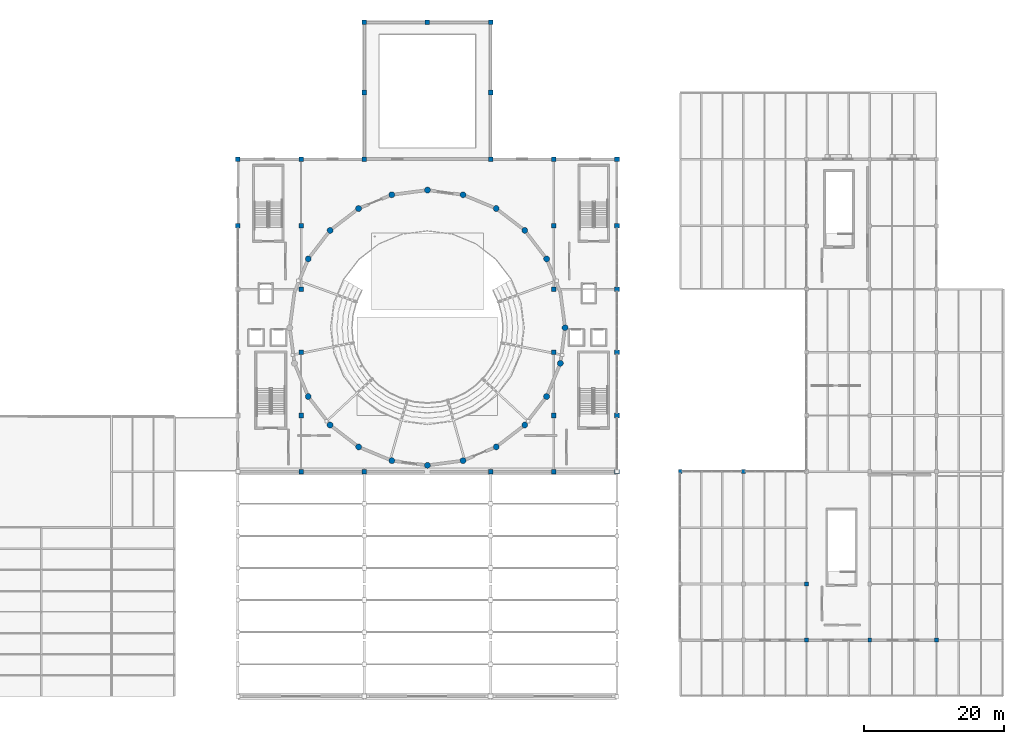
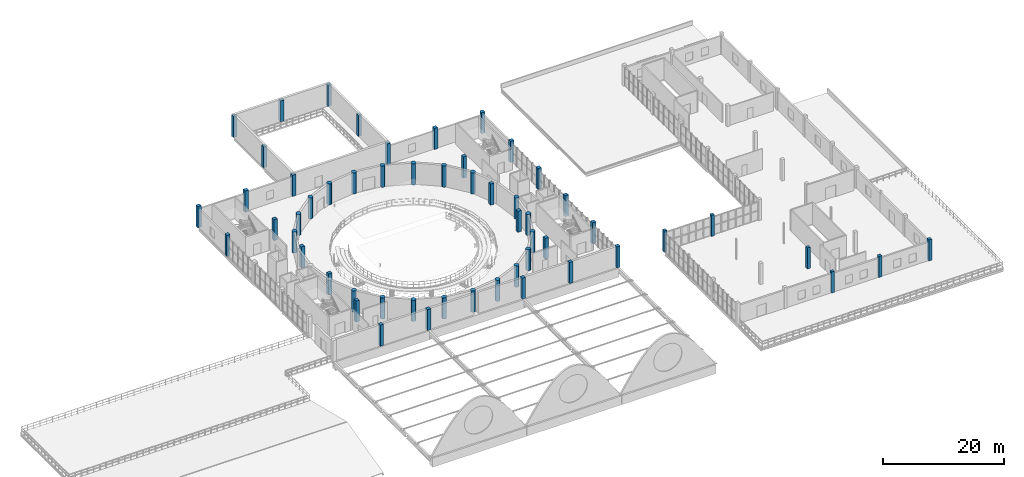
# One storey, part 3 of 54: 55 columns.
"""IFC4 building model written with IfcOpenShell, lengths in metres."""

from ifc_helpers import new_model, si_unit, direction, frame, origin, origin_2d, place, context, subcontext, project, spatial, rectangle, circle, extrude, material, material_profile, profile_set, type_object, element, save


model = new_model("IFC4")

# Units and contexts
model_context = context("Model", 3, precision=1e-05, world=origin(), true_north=direction((0.0, 1.0)))
body_context = subcontext(model_context, "Body", "Model", "MODEL_VIEW")
ifc_project = project(units=[si_unit("LENGTHUNIT", "METRE"), si_unit("AREAUNIT", "SQUARE_METRE"), si_unit("VOLUMEUNIT", "CUBIC_METRE"), si_unit("PLANEANGLEUNIT", "RADIAN"), si_unit("MASSUNIT", "GRAM", prefix="KILO")], contexts=[model_context])

# Site, building, storey
site_placement = place(None, origin())
site = spatial("IfcSite", under=ifc_project, at=site_placement, CompositionType="ELEMENT")
building_placement = place(site_placement, origin())
building = spatial("IfcBuilding", under=site, at=building_placement, Name="Marnock Terrace Opera House", CompositionType="ELEMENT")
storey_placement = place(building_placement, frame((0.0, 0.0, 19.199951171875)))
storey = spatial("IfcBuildingStorey", under=building, at=storey_placement, Name="L04", CompositionType="ELEMENT", Elevation=19.199951171875)

# Columns
ifc_material_1 = material(Name="Concrete N50 (f'c = 50 MPa)", Category="concrete")
ifc_material_profile_1 = material_profile(ifc_material_1, circle(Radius=0.425048828125, at=origin_2d()))
ifc_profile_set_1 = profile_set([ifc_material_profile_1], Name="Concrete N50 (f'c = 50 MPa)")
column_type_1 = type_object("IfcColumnType", Name="COL-DRUM-850", PredefinedType="COLUMN", material=ifc_profile_set_1)
for number, where, z_axis, x_axis, name in (
    (1, (101.60009765625, 60.5, 0.0), (0.0, 0.0, 1.0), (1.0, 0.0, 0.0), "L04 auditorium drum pier 1"),
    (2, (98.97412109375, 70.300048828125, 0.0), (0.0, 0.0, 1.0), (1.0, 0.0, 0.0), "L04 auditorium drum pier 3"),
    (3, (95.85888671875, 74.35888671875, 0.0), (0.0, 0.0, 1.0), (1.0, 0.0, 0.0), "L04 auditorium drum pier 4"),
    (4, (91.800048828125, 77.47412109375, 0.0), (0.0, 0.0, 1.0), (1.0, 0.0, 0.0), "L04 auditorium drum pier 5"),
    (5, (87.072998046875, 79.431884765625, 0.0), (0.0, 0.0, 1.0), (1.0, 0.0, 0.0), "L04 auditorium drum pier 6"),
    (6, (82.0, 80.10009765625, 0.0), (0.0, 0.0, 1.0), (1.0, 0.0, 0.0), "L04 auditorium drum pier 7"),
    (7, (76.927001953125, 79.431884765625, 0.0), (0.0, 0.0, 1.0), (1.0, 0.0, 0.0), "L04 auditorium drum pier 8"),
    (8, (72.199951171875, 77.47412109375, 0.0), (0.0, 0.0, 1.0), (1.0, 0.0, 0.0), "L04 auditorium drum pier 9"),
    (9, (68.14111328125, 74.35888671875, 0.0), (0.0, 0.0, 1.0), (1.0, 0.0, 0.0), "L04 auditorium drum pier 10"),
    (10, (65.02587890625, 70.300048828125, 0.0), (0.0, 0.0, 1.0), (1.0, 0.0, 0.0), "L04 auditorium drum pier 11"),
    (11, (65.02587890625, 50.699951171875, 0.0), (0.0, 0.0, 1.0), (1.0, 0.0, 0.0), "L04 auditorium drum pier 15"),
    (12, (68.14111328125, 46.64111328125, 0.0), (0.0, 0.0, 1.0), (1.0, 0.0, 0.0), "L04 auditorium drum pier 16"),
    (13, (72.199951171875, 43.52587890625, 0.0), (0.0, 0.0, 1.0), (1.0, 0.0, 0.0), "L04 auditorium drum pier 17"),
    (14, (76.927001953125, 41.568115234375, 0.0), (0.0, 0.0, 1.0), (1.0, 0.0, 0.0), "L04 auditorium drum pier 18"),
    (15, (82.0, 40.89990234375, 0.0), (0.0, 0.0, 1.0), (1.0, 0.0, 0.0), "L04 auditorium drum pier 19"),
    (16, (87.072998046875, 41.568115234375, 0.0), (0.0, 0.0, 1.0), (1.0, 0.0, 0.0), "L04 auditorium drum pier 20"),
    (17, (91.800048828125, 43.52587890625, 0.0), (0.0, 0.0, 1.0), (1.0, 0.0, 0.0), "L04 auditorium drum pier 21"),
    (18, (95.85888671875, 46.64111328125, 0.0), (0.0, 0.0, 1.0), (1.0, 0.0, 0.0), "L04 auditorium drum pier 22"),
    (19, (98.97412109375, 50.699951171875, 0.0), (0.0, 0.0, 1.0), (1.0, 0.0, 0.0), "L04 auditorium drum pier 23"),
    (20, (100.931884765625, 55.427001953125, 0.0), (0.0, 0.0, 1.0), (1.0, 0.0, 0.0), "L04 auditorium drum pier 24"),
):
    element("IfcColumn", number, at=place(storey_placement, frame(where, z_axis=z_axis, x_axis=x_axis)), inside=storey, type_object=column_type_1, Name=name, PredefinedType="COLUMN", context=body_context, shape_type="SweptSolid", body=[
        extrude(circle(Radius=0.425048828125, at=origin_2d()), origin(), (0.0, 0.0, 1.0), 4.25),
    ])
ifc_material_2 = material(Name="Concrete N40 (f'c = 40 MPa)", Category="concrete")
ifc_material_profile_2 = material_profile(ifc_material_2, rectangle(XDim=0.550048828125, YDim=0.550048828125, at=origin_2d()))
ifc_profile_set_2 = profile_set([ifc_material_profile_2], Name="Concrete N40 (f'c = 40 MPa)")
column_type_2 = type_object("IfcColumnType", Name="COL-RC550", PredefinedType="COLUMN", material=ifc_profile_set_2)
for number, where, z_axis, x_axis, name in (
    (21, (118.0, 40.0, 0.0), (0.0, 0.0, 1.0), (1.0, 0.0, 0.0), "L04 column at (118.0, 40.0)"),
    (22, (127.0, 40.0, 0.0), (0.0, 0.0, 1.0), (1.0, 0.0, 0.0), "L04 column at (127.0, 40.0)"),
    (23, (136.0, 16.0, 0.0), (0.0, 0.0, 1.0), (1.0, 0.0, 0.0), "L04 column at (136.0, 16.0)"),
    (24, (136.0, 24.0, 0.0), (0.0, 0.0, 1.0), (1.0, 0.0, 0.0), "L04 column at (136.0, 24.0)"),
    (25, (145.0, 16.0, 0.0), (0.0, 0.0, 1.0), (1.0, 0.0, 0.0), "L04 column at (145.0, 16.0)"),
    (26, (154.5, 16.0, 0.0), (0.0, 0.0, 1.0), (1.0, 0.0, 0.0), "L04 column at (154.5, 16.0)"),
):
    element("IfcColumn", number, at=place(storey_placement, frame(where, z_axis=z_axis, x_axis=x_axis)), inside=storey, type_object=column_type_2, Name=name, PredefinedType="COLUMN", context=body_context, shape_type="SweptSolid", body=[
        extrude(rectangle(XDim=0.550048828125, YDim=0.550048828125, at=origin_2d()), origin(), (0.0, 0.0, 1.0), 4.25),
    ])
ifc_material_profile_3 = material_profile(ifc_material_2, rectangle(XDim=0.64990234375, YDim=0.64990234375, at=origin_2d()))
ifc_profile_set_3 = profile_set([ifc_material_profile_3], Name="Concrete N40 (f'c = 40 MPa)")
column_type_3 = type_object("IfcColumnType", Name="COL-RC650", PredefinedType="COLUMN", material=ifc_profile_set_3)
for number, where, z_axis, x_axis, name in (
    (27, (55.0, 75.0, 0.0), (0.0, 0.0, 1.0), (1.0, 0.0, 0.0), "L04 column at (55.0, 75.0)"),
    (28, (55.0, 84.5, 0.0), (0.0, 0.0, 1.0), (1.0, 0.0, 0.0), "L04 column at (55.0, 84.5)"),
    (29, (64.0, 40.0, 0.0), (0.0, 0.0, 1.0), (1.0, 0.0, 0.0), "L04 column at (64.0, 40.0)"),
    (30, (64.0, 48.0, 0.0), (0.0, 0.0, 1.0), (1.0, 0.0, 0.0), "L04 column at (64.0, 48.0)"),
    (31, (64.0, 57.0, 0.0), (0.0, 0.0, 1.0), (1.0, 0.0, 0.0), "L04 column at (64.0, 57.0)"),
    (32, (64.0, 66.0, 0.0), (0.0, 0.0, 1.0), (1.0, 0.0, 0.0), "L04 column at (64.0, 66.0)"),
    (33, (64.0, 75.0, 0.0), (0.0, 0.0, 1.0), (1.0, 0.0, 0.0), "L04 column at (64.0, 75.0)"),
    (34, (64.0, 84.5, 0.0), (0.0, 0.0, 1.0), (1.0, 0.0, 0.0), "L04 column at (64.0, 84.5)"),
    (35, (73.0, 40.0, 0.0), (0.0, 0.0, 1.0), (1.0, 0.0, 0.0), "L04 column at (73.0, 40.0)"),
    (36, (73.0, 84.5, 0.0), (0.0, 0.0, 1.0), (1.0, 0.0, 0.0), "L04 column at (73.0, 84.5)"),
    (37, (73.0, 94.0, 0.0), (0.0, 0.0, 1.0), (1.0, 0.0, 0.0), "L04 column at (73.0, 94.0)"),
    (38, (73.0, 104.0, 0.0), (0.0, 0.0, 1.0), (1.0, 0.0, 0.0), "L04 column at (73.0, 104.0)"),
    (39, (82.0, 104.0, 0.0), (0.0, 0.0, 1.0), (1.0, 0.0, 0.0), "L04 column at (82.0, 104.0)"),
    (40, (91.0, 40.0, 0.0), (0.0, 0.0, 1.0), (1.0, 0.0, 0.0), "L04 column at (91.0, 40.0)"),
    (41, (91.0, 84.5, 0.0), (0.0, 0.0, 1.0), (1.0, 0.0, 0.0), "L04 column at (91.0, 84.5)"),
    (42, (91.0, 94.0, 0.0), (0.0, 0.0, 1.0), (1.0, 0.0, 0.0), "L04 column at (91.0, 94.0)"),
    (43, (91.0, 104.0, 0.0), (0.0, 0.0, 1.0), (1.0, 0.0, 0.0), "L04 column at (91.0, 104.0)"),
    (44, (100.0, 40.0, 0.0), (0.0, 0.0, 1.0), (1.0, 0.0, 0.0), "L04 column at (100.0, 40.0)"),
    (45, (100.0, 48.0, 0.0), (0.0, 0.0, 1.0), (1.0, 0.0, 0.0), "L04 column at (100.0, 48.0)"),
    (46, (100.0, 57.0, 0.0), (0.0, 0.0, 1.0), (1.0, 0.0, 0.0), "L04 column at (100.0, 57.0)"),
    (47, (100.0, 66.0, 0.0), (0.0, 0.0, 1.0), (1.0, 0.0, 0.0), "L04 column at (100.0, 66.0)"),
    (48, (100.0, 75.0, 0.0), (0.0, 0.0, 1.0), (1.0, 0.0, 0.0), "L04 column at (100.0, 75.0)"),
    (49, (100.0, 84.5, 0.0), (0.0, 0.0, 1.0), (1.0, 0.0, 0.0), "L04 column at (100.0, 84.5)"),
    (50, (109.0, 40.0, 0.0), (0.0, 0.0, 1.0), (1.0, 0.0, 0.0), "L04 column at (109.0, 40.0)"),
    (51, (109.0, 48.0, 0.0), (0.0, 0.0, 1.0), (1.0, 0.0, 0.0), "L04 column at (109.0, 48.0)"),
    (52, (109.0, 57.0, 0.0), (0.0, 0.0, 1.0), (1.0, 0.0, 0.0), "L04 column at (109.0, 57.0)"),
    (53, (109.0, 66.0, 0.0), (0.0, 0.0, 1.0), (1.0, 0.0, 0.0), "L04 column at (109.0, 66.0)"),
    (54, (109.0, 75.0, 0.0), (0.0, 0.0, 1.0), (1.0, 0.0, 0.0), "L04 column at (109.0, 75.0)"),
    (55, (109.0, 84.5, 0.0), (0.0, 0.0, 1.0), (1.0, 0.0, 0.0), "L04 column at (109.0, 84.5)"),
):
    element("IfcColumn", number, at=place(storey_placement, frame(where, z_axis=z_axis, x_axis=x_axis)), inside=storey, type_object=column_type_3, Name=name, PredefinedType="COLUMN", context=body_context, shape_type="SweptSolid", body=[
        extrude(rectangle(XDim=0.64990234375, YDim=0.64990234375, at=origin_2d()), origin(), (0.0, 0.0, 1.0), 4.25),
    ])

save(model, "model.ifc")
